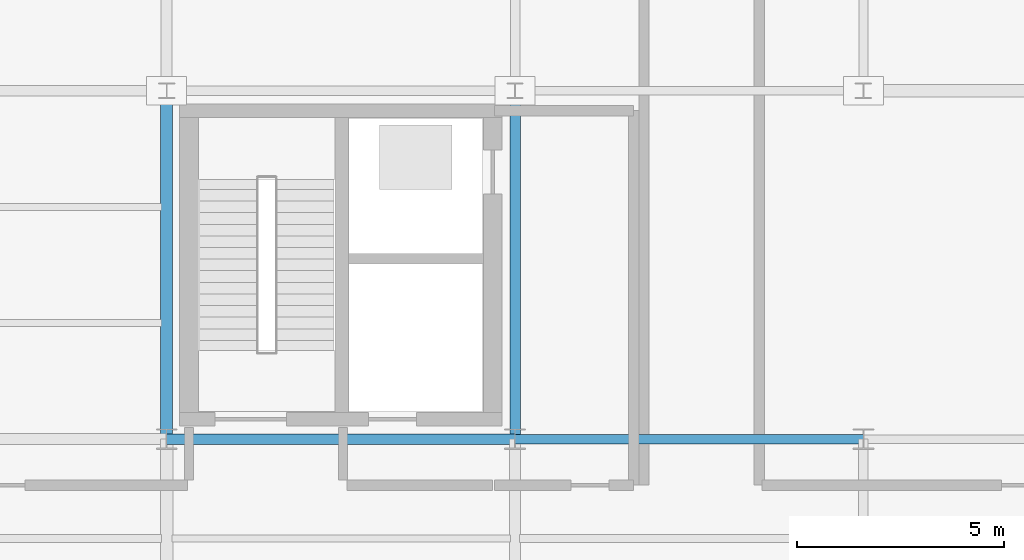
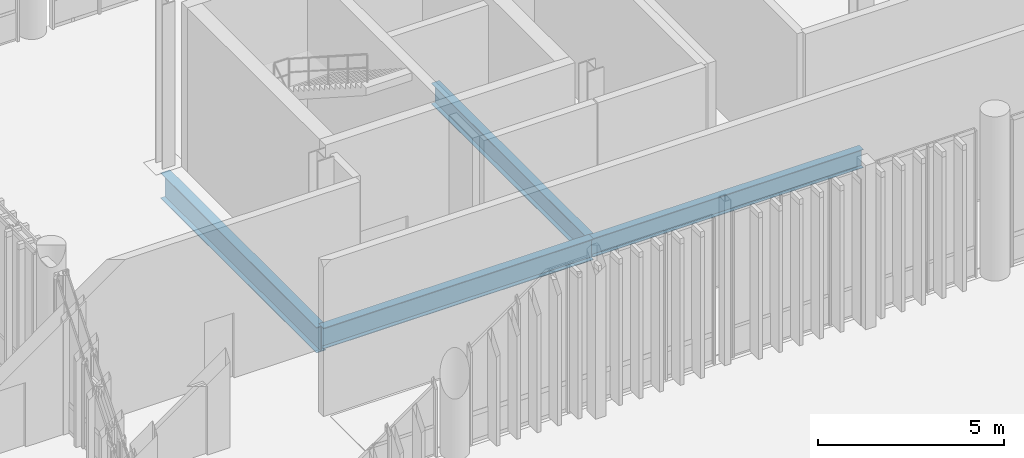
# One storey, part 37 of 112: 4 beams.
"""IFC4 building model written with IfcOpenShell, lengths in metres."""

from ifc_helpers import new_model, si_unit, direction, frame, origin_with_axes, origin_2d_with_axis, place, context, subcontext, project, spatial, i_section, extrude, material, material_profile, profile_set, type_object, element, save


model = new_model("IFC4")

# Units and contexts
model_context = context("Model", 3, precision=1e-05, world=origin_with_axes(), true_north=direction((0.0, 1.0)))
body_context = subcontext(model_context, "Body", "Model", "MODEL_VIEW")
ifc_project = project(units=[si_unit("LENGTHUNIT", "METRE"), si_unit("AREAUNIT", "SQUARE_METRE"), si_unit("VOLUMEUNIT", "CUBIC_METRE"), si_unit("PLANEANGLEUNIT", "RADIAN"), si_unit("MASSUNIT", "GRAM", prefix="KILO"), si_unit("THERMODYNAMICTEMPERATUREUNIT", "KELVIN")], contexts=[model_context])

# Site, building, storey
site_placement = place(None, origin_with_axes())
site = spatial("IfcSite", under=ifc_project, at=site_placement, CompositionType="ELEMENT")
building_placement = place(site_placement, origin_with_axes())
building = spatial("IfcBuilding", under=site, at=building_placement, Name="Montbau Bow Law Courts", CompositionType="ELEMENT")
storey_placement = place(building_placement, origin_with_axes())
storey = spatial("IfcBuildingStorey", under=building, at=storey_placement, Name="L00", CompositionType="ELEMENT", Elevation=0.0)

# Beams
ifc_material = material(Name="Steel CSA G40.21 Grade 350W (350 MPa)", Category="steel")
ifc_material_profile_1 = material_profile(ifc_material, i_section(OverallWidth=0.293, OverallDepth=0.846, WebThickness=0.0154, FlangeThickness=0.0244, at=origin_2d_with_axis()), Name="W840X210", Category="Main", Priority=0)
ifc_profile_set_1 = profile_set([ifc_material_profile_1], Name="Steel CSA G40.21 Grade 350W (350 MPa)")
beam_type_1 = type_object("IfcBeamType", Name="B-FLR-02", PredefinedType="BEAM", material=ifc_profile_set_1)
beam_1_placement = place(None, frame((55.2, 46.2, -0.663), z_axis=(0.0, 1.0, 0.0), x_axis=(-1.0, 0.0, 0.0)))
element("IfcBeam", 1, at=beam_1_placement, inside=storey, type_object=beam_type_1, Name="BM-L00-S0278:bm2_0281", PredefinedType="BEAM", context=body_context, shape_type="SweptSolid", body=[
    extrude(i_section(OverallWidth=0.293, OverallDepth=0.846, WebThickness=0.0154, FlangeThickness=0.0244, at=origin_2d_with_axis()), origin_with_axes(), (0.0, 0.0, 1.0), 8.4),
])
ifc_material_profile_2 = material_profile(ifc_material, i_section(OverallWidth=0.254, OverallDepth=0.688, WebThickness=0.0131, FlangeThickness=0.0211, at=origin_2d_with_axis()), Name="W690X152", Category="Main", Priority=0)
ifc_profile_set_2 = profile_set([ifc_material_profile_2], Name="Steel CSA G40.21 Grade 350W (350 MPa)")
beam_type_2 = type_object("IfcBeamType", Name="B-FLR-04", PredefinedType="BEAM", material=ifc_profile_set_2)
for number, where, z_axis, x_axis, name in (
    (2, (55.2, 46.2, -0.584), (1.0, 0.0, 0.0), (0.0, 1.0, 0.0), "BM-L00-S0203:bm2_0206"),
    (3, (63.6, 46.2, -0.584), (0.0, 1.0, 0.0), (-1.0, 0.0, 0.0), "BM-L00-S0285:bm2_0288"),
):
    element("IfcBeam", number, at=place(None, frame(where, z_axis=z_axis, x_axis=x_axis)), inside=storey, type_object=beam_type_2, Name=name, PredefinedType="BEAM", context=body_context, shape_type="SweptSolid", body=[
        extrude(i_section(OverallWidth=0.254, OverallDepth=0.688, WebThickness=0.0131, FlangeThickness=0.0211, at=origin_2d_with_axis()), origin_with_axes(), (0.0, 0.0, 1.0), 8.4),
    ])
ifc_material_profile_3 = material_profile(ifc_material, i_section(OverallWidth=0.229, OverallDepth=0.612, WebThickness=0.0119, FlangeThickness=0.0196, at=origin_2d_with_axis()), Name="W610X125", Category="Main", Priority=0)
ifc_profile_set_3 = profile_set([ifc_material_profile_3], Name="Steel CSA G40.21 Grade 350W (350 MPa)")
beam_type_3 = type_object("IfcBeamType", Name="B-FLR-05", PredefinedType="BEAM", material=ifc_profile_set_3)
beam_2_placement = place(None, frame((63.6, 46.2, -0.546), z_axis=(1.0, 0.0, 0.0), x_axis=(0.0, 1.0, 0.0)))
element("IfcBeam", 4, at=beam_2_placement, inside=storey, type_object=beam_type_3, Name="BM-L00-S0204:bm2_0207", PredefinedType="BEAM", context=body_context, shape_type="SweptSolid", body=[
    extrude(i_section(OverallWidth=0.229, OverallDepth=0.612, WebThickness=0.0119, FlangeThickness=0.0196, at=origin_2d_with_axis()), origin_with_axes(), (0.0, 0.0, 1.0), 8.4),
])

save(model, "model.ifc")
